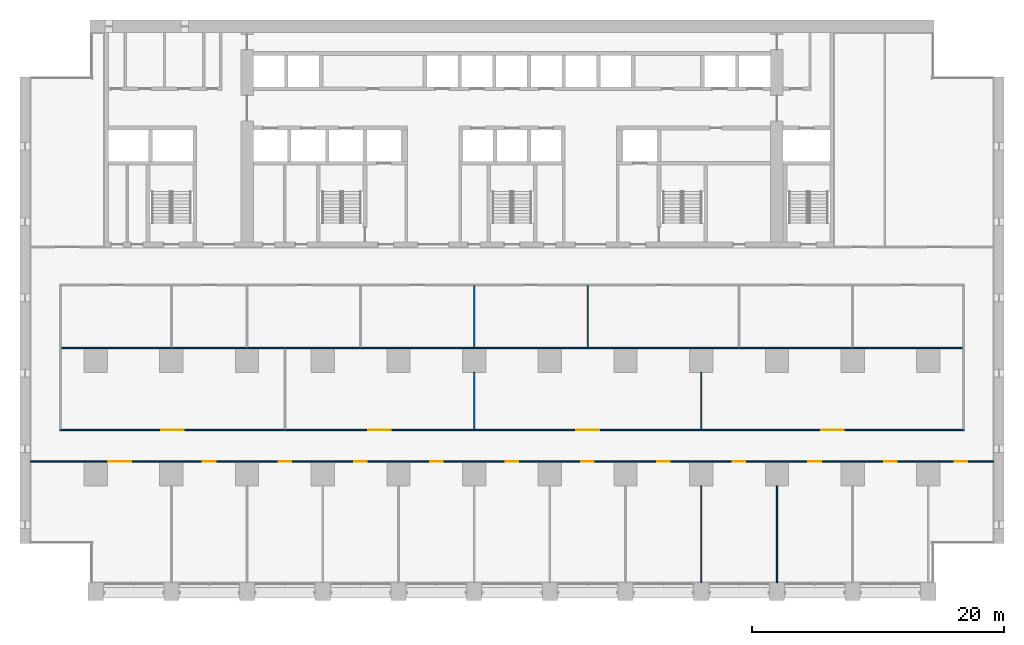
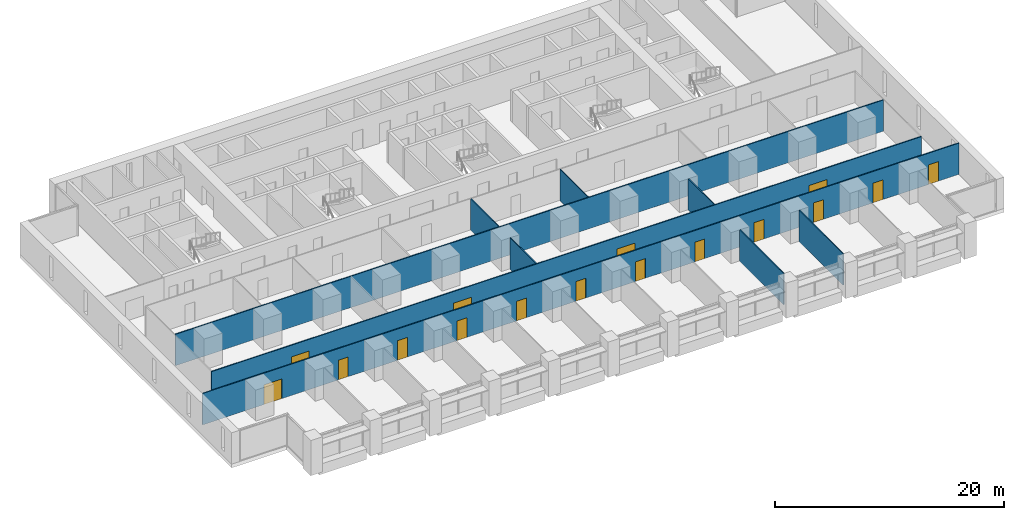
# One storey, part 9 of 18: 16 doors, 9 walls, 16 openings.
"""IFC4 building model written with IfcOpenShell, lengths in metres."""

from ifc_helpers import new_model, si_unit, direction, frame, frame_2d, origin, place, context, subcontext, project, spatial, rectangle, extrude, material, layer, layer_set, type_object, element, fill, save


model = new_model("IFC4")

# Units and contexts
model_context = context("Model", 3, precision=1e-05, world=origin(), true_north=direction((0.0, 1.0)))
body_context = subcontext(model_context, "Body", "Model", "MODEL_VIEW")
ifc_project = project(units=[si_unit("LENGTHUNIT", "METRE"), si_unit("AREAUNIT", "SQUARE_METRE"), si_unit("VOLUMEUNIT", "CUBIC_METRE"), si_unit("PLANEANGLEUNIT", "RADIAN"), si_unit("MASSUNIT", "GRAM", prefix="KILO")], contexts=[model_context])

# Site, building, storey
site_placement = place(None, origin())
site = spatial("IfcSite", under=ifc_project, at=site_placement, CompositionType="ELEMENT")
building_placement = place(site_placement, origin())
building = spatial("IfcBuilding", under=site, at=building_placement, Name="Calvaro Tower", CompositionType="ELEMENT")
storey_placement = place(building_placement, frame((0.0, 0.0, 26.25)))
storey = spatial("IfcBuildingStorey", under=building, at=storey_placement, Name="L05", CompositionType="ELEMENT", Elevation=26.25)

# Wall, openings, doors
ifc_material_1 = material(Name="Plasterboard on steel studs", Category="steel")
ifc_layer = layer(ifc_material_1, 0.10009765625)
ifc_layer_set = layer_set([ifc_layer], Name="Plasterboard on steel studs")
wall_type = type_object("IfcWallType", Name="Partition 100", PredefinedType="PARTITIONING", material=ifc_layer_set)
wall_1_placement = place(storey_placement, frame((0.800048828125, 11.0, 0.0), z_axis=(0.0, 0.0, 1.0), x_axis=(1.0, 0.0, 0.0)))
wall_1 = element("IfcWall", 1, at=wall_1_placement, inside=storey, type_object=wall_type, Name="Partition T07.W001", PredefinedType="PARTITIONING", context=body_context, shape_type="SweptSolid", body=[
    extrude(rectangle(XDim=76.39990234375, YDim=0.10009765625, at=frame_2d((38.199951171875, 0.0))), origin(), (0.0, 0.0, 1.0), 3.35009765625),
])
opening_1_placement = place(wall_1_placement, frame((13.699951171875, 0.0, 0.0)))
opening_1 = element("IfcOpeningElement", 2, at=opening_1_placement, cuts=wall_1, Name="Opening T07.001", PredefinedType="OPENING", context=body_context, shape_type="SweptSolid", body=[
    extrude(rectangle(XDim=1.0, YDim=2.10009765625, at=frame_2d((0.5, 1.050048828125))), frame((0.0, 0.06005859375, 0.0), z_axis=(0.0, -1.0, 0.0), x_axis=(1.0, 0.0, 0.0)), (0.0, 0.0, 1.0), 0.1201171875),
])
opening_2_placement = place(wall_1_placement, frame((19.699951171875, 0.0, 0.0)))
opening_2 = element("IfcOpeningElement", 3, at=opening_2_placement, cuts=wall_1, Name="Opening T07.002", PredefinedType="OPENING", context=body_context, shape_type="SweptSolid", body=[
    extrude(rectangle(XDim=1.0, YDim=2.10009765625, at=frame_2d((0.5, 1.050048828125))), frame((0.0, 0.06005859375, 0.0), z_axis=(0.0, -1.0, 0.0), x_axis=(1.0, 0.0, 0.0)), (0.0, 0.0, 1.0), 0.1201171875),
])
opening_3_placement = place(wall_1_placement, frame((25.699951171875, 0.0, 0.0)))
opening_3 = element("IfcOpeningElement", 4, at=opening_3_placement, cuts=wall_1, Name="Opening T07.003", PredefinedType="OPENING", context=body_context, shape_type="SweptSolid", body=[
    extrude(rectangle(XDim=1.0, YDim=2.10009765625, at=frame_2d((0.5, 1.050048828125))), frame((0.0, 0.06005859375, 0.0), z_axis=(0.0, -1.0, 0.0), x_axis=(1.0, 0.0, 0.0)), (0.0, 0.0, 1.0), 0.1201171875),
])
opening_4_placement = place(wall_1_placement, frame((31.699951171875, 0.0, 0.0)))
opening_4 = element("IfcOpeningElement", 5, at=opening_4_placement, cuts=wall_1, Name="Opening T07.004", PredefinedType="OPENING", context=body_context, shape_type="SweptSolid", body=[
    extrude(rectangle(XDim=1.0, YDim=2.10009765625, at=frame_2d((0.5, 1.050048828125))), frame((0.0, 0.06005859375, 0.0), z_axis=(0.0, -1.0, 0.0), x_axis=(1.0, 0.0, 0.0)), (0.0, 0.0, 1.0), 0.1201171875),
])
opening_5_placement = place(wall_1_placement, frame((37.699951171875, 0.0, 0.0)))
opening_5 = element("IfcOpeningElement", 6, at=opening_5_placement, cuts=wall_1, Name="Opening T07.005", PredefinedType="OPENING", context=body_context, shape_type="SweptSolid", body=[
    extrude(rectangle(XDim=1.0, YDim=2.10009765625, at=frame_2d((0.5, 1.050048828125))), frame((0.0, 0.06005859375, 0.0), z_axis=(0.0, -1.0, 0.0), x_axis=(1.0, 0.0, 0.0)), (0.0, 0.0, 1.0), 0.1201171875),
])
opening_6_placement = place(wall_1_placement, frame((43.699951171875, 0.0, 0.0)))
opening_6 = element("IfcOpeningElement", 7, at=opening_6_placement, cuts=wall_1, Name="Opening T07.006", PredefinedType="OPENING", context=body_context, shape_type="SweptSolid", body=[
    extrude(rectangle(XDim=1.0, YDim=2.10009765625, at=frame_2d((0.5, 1.050048828125))), frame((0.0, 0.06005859375, 0.0), z_axis=(0.0, -1.0, 0.0), x_axis=(1.0, 0.0, 0.0)), (0.0, 0.0, 1.0), 0.1201171875),
])
opening_7_placement = place(wall_1_placement, frame((49.699951171875, 0.0, 0.0)))
opening_7 = element("IfcOpeningElement", 8, at=opening_7_placement, cuts=wall_1, Name="Opening T07.007", PredefinedType="OPENING", context=body_context, shape_type="SweptSolid", body=[
    extrude(rectangle(XDim=1.0, YDim=2.10009765625, at=frame_2d((0.5, 1.050048828125))), frame((0.0, 0.06005859375, 0.0), z_axis=(0.0, -1.0, 0.0), x_axis=(1.0, 0.0, 0.0)), (0.0, 0.0, 1.0), 0.1201171875),
])
opening_8_placement = place(wall_1_placement, frame((55.699951171875, 0.0, 0.0)))
opening_8 = element("IfcOpeningElement", 9, at=opening_8_placement, cuts=wall_1, Name="Opening T07.008", PredefinedType="OPENING", context=body_context, shape_type="SweptSolid", body=[
    extrude(rectangle(XDim=1.0, YDim=2.10009765625, at=frame_2d((0.5, 1.050048828125))), frame((0.0, 0.06005859375, 0.0), z_axis=(0.0, -1.0, 0.0), x_axis=(1.0, 0.0, 0.0)), (0.0, 0.0, 1.0), 0.1201171875),
])
opening_9_placement = place(wall_1_placement, frame((61.699951171875, 0.0, 0.0)))
opening_9 = element("IfcOpeningElement", 10, at=opening_9_placement, cuts=wall_1, Name="Opening T07.009", PredefinedType="OPENING", context=body_context, shape_type="SweptSolid", body=[
    extrude(rectangle(XDim=1.0, YDim=2.10009765625, at=frame_2d((0.5, 1.050048828125))), frame((0.0, 0.06005859375, 0.0), z_axis=(0.0, -1.0, 0.0), x_axis=(1.0, 0.0, 0.0)), (0.0, 0.0, 1.0), 0.1201171875),
])
opening_10_placement = place(wall_1_placement, frame((67.699951171875, 0.0, 0.0)))
opening_10 = element("IfcOpeningElement", 11, at=opening_10_placement, cuts=wall_1, Name="Opening T07.010", PredefinedType="OPENING", context=body_context, shape_type="SweptSolid", body=[
    extrude(rectangle(XDim=1.0, YDim=2.10009765625, at=frame_2d((0.5, 1.050048828125))), frame((0.0, 0.06005859375, 0.0), z_axis=(0.0, -1.0, 0.0), x_axis=(1.0, 0.0, 0.0)), (0.0, 0.0, 1.0), 0.1201171875),
])
opening_11_placement = place(wall_1_placement, frame((6.199951171875, 0.0, 0.0)))
opening_11 = element("IfcOpeningElement", 12, at=opening_11_placement, cuts=wall_1, Name="Opening T07.011", PredefinedType="OPENING", context=body_context, shape_type="SweptSolid", body=[
    extrude(rectangle(XDim=1.800048828125, YDim=2.10009765625, at=frame_2d((0.89990234375, 1.050048828125))), frame((0.0, 0.06005859375, 0.0), z_axis=(0.0, -1.0, 0.0), x_axis=(1.0, 0.0, 0.0)), (0.0, 0.0, 1.0), 0.1201171875),
])
opening_12_placement = place(wall_1_placement, frame((73.300048828125, 0.0, 0.0)))
opening_12 = element("IfcOpeningElement", 13, at=opening_12_placement, cuts=wall_1, Name="Opening T07.012", PredefinedType="OPENING", context=body_context, shape_type="SweptSolid", body=[
    extrude(rectangle(XDim=1.0, YDim=2.10009765625, at=frame_2d((0.5, 1.050048828125))), frame((0.0, 0.06005859375, 0.0), z_axis=(0.0, -1.0, 0.0), x_axis=(1.0, 0.0, 0.0)), (0.0, 0.0, 1.0), 0.1201171875),
])
ifc_material_2 = material(Name="Timber", Category="wood")
door_type_1 = type_object("IfcDoorType", Name="Internal double door 1800 x 2100", OperationType="DOUBLE_DOOR_SINGLE_SWING", PredefinedType="DOOR", material=ifc_material_2)
door_1_placement = place(opening_11_placement, origin())
door_1 = element("IfcDoor", 14, at=door_1_placement, inside=storey, type_object=door_type_1, Name="Door T07.011", OperationType="DOUBLE_DOOR_SINGLE_SWING", OverallHeight=2.10009765625, OverallWidth=1.800048828125, PredefinedType="DOOR", context=body_context, shape_type="SweptSolid", body=[
    extrude(rectangle(XDim=1.800048828125, YDim=2.10009765625, at=frame_2d((0.89990234375, 1.050048828125))), frame((0.0, 0.02490234375, 0.0), z_axis=(0.0, -1.0, 0.0), x_axis=(1.0, 0.0, 0.0)), (0.0, 0.0, 1.0), 0.050048828125),
])
fill(opening_11, door_1)
ifc_material_3 = material(Name="Timber", Category="wood")
door_type_2 = type_object("IfcDoorType", Name="Internal single door 1000 x 2100", OperationType="SINGLE_SWING_LEFT", PredefinedType="DOOR", material=ifc_material_3)
door_2_placement = place(opening_1_placement, origin())
door_2 = element("IfcDoor", 15, at=door_2_placement, inside=storey, type_object=door_type_2, Name="Door T07.001", OperationType="SINGLE_SWING_LEFT", OverallHeight=2.10009765625, OverallWidth=1.0, PredefinedType="DOOR", context=body_context, shape_type="SweptSolid", body=[
    extrude(rectangle(XDim=1.0, YDim=2.10009765625, at=frame_2d((0.5, 1.050048828125))), frame((0.0, 0.02490234375, 0.0), z_axis=(0.0, -1.0, 0.0), x_axis=(1.0, 0.0, 0.0)), (0.0, 0.0, 1.0), 0.050048828125),
])
fill(opening_1, door_2)
door_3_placement = place(opening_2_placement, origin())
door_3 = element("IfcDoor", 16, at=door_3_placement, inside=storey, type_object=door_type_2, Name="Door T07.002", OperationType="SINGLE_SWING_LEFT", OverallHeight=2.10009765625, OverallWidth=1.0, PredefinedType="DOOR", context=body_context, shape_type="SweptSolid", body=[
    extrude(rectangle(XDim=1.0, YDim=2.10009765625, at=frame_2d((0.5, 1.050048828125))), frame((0.0, 0.02490234375, 0.0), z_axis=(0.0, -1.0, 0.0), x_axis=(1.0, 0.0, 0.0)), (0.0, 0.0, 1.0), 0.050048828125),
])
fill(opening_2, door_3)
door_4_placement = place(opening_3_placement, origin())
door_4 = element("IfcDoor", 17, at=door_4_placement, inside=storey, type_object=door_type_2, Name="Door T07.003", OperationType="SINGLE_SWING_LEFT", OverallHeight=2.10009765625, OverallWidth=1.0, PredefinedType="DOOR", context=body_context, shape_type="SweptSolid", body=[
    extrude(rectangle(XDim=1.0, YDim=2.10009765625, at=frame_2d((0.5, 1.050048828125))), frame((0.0, 0.02490234375, 0.0), z_axis=(0.0, -1.0, 0.0), x_axis=(1.0, 0.0, 0.0)), (0.0, 0.0, 1.0), 0.050048828125),
])
fill(opening_3, door_4)
door_5_placement = place(opening_4_placement, origin())
door_5 = element("IfcDoor", 18, at=door_5_placement, inside=storey, type_object=door_type_2, Name="Door T07.004", OperationType="SINGLE_SWING_LEFT", OverallHeight=2.10009765625, OverallWidth=1.0, PredefinedType="DOOR", context=body_context, shape_type="SweptSolid", body=[
    extrude(rectangle(XDim=1.0, YDim=2.10009765625, at=frame_2d((0.5, 1.050048828125))), frame((0.0, 0.02490234375, 0.0), z_axis=(0.0, -1.0, 0.0), x_axis=(1.0, 0.0, 0.0)), (0.0, 0.0, 1.0), 0.050048828125),
])
fill(opening_4, door_5)
door_6_placement = place(opening_5_placement, origin())
door_6 = element("IfcDoor", 19, at=door_6_placement, inside=storey, type_object=door_type_2, Name="Door T07.005", OperationType="SINGLE_SWING_LEFT", OverallHeight=2.10009765625, OverallWidth=1.0, PredefinedType="DOOR", context=body_context, shape_type="SweptSolid", body=[
    extrude(rectangle(XDim=1.0, YDim=2.10009765625, at=frame_2d((0.5, 1.050048828125))), frame((0.0, 0.02490234375, 0.0), z_axis=(0.0, -1.0, 0.0), x_axis=(1.0, 0.0, 0.0)), (0.0, 0.0, 1.0), 0.050048828125),
])
fill(opening_5, door_6)
door_7_placement = place(opening_6_placement, origin())
door_7 = element("IfcDoor", 20, at=door_7_placement, inside=storey, type_object=door_type_2, Name="Door T07.006", OperationType="SINGLE_SWING_RIGHT", OverallHeight=2.10009765625, OverallWidth=1.0, PredefinedType="DOOR", context=body_context, shape_type="SweptSolid", body=[
    extrude(rectangle(XDim=1.0, YDim=2.10009765625, at=frame_2d((0.5, 1.050048828125))), frame((0.0, 0.02490234375, 0.0), z_axis=(0.0, -1.0, 0.0), x_axis=(1.0, 0.0, 0.0)), (0.0, 0.0, 1.0), 0.050048828125),
])
fill(opening_6, door_7)
door_8_placement = place(opening_7_placement, origin())
door_8 = element("IfcDoor", 21, at=door_8_placement, inside=storey, type_object=door_type_2, Name="Door T07.007", OperationType="SINGLE_SWING_RIGHT", OverallHeight=2.10009765625, OverallWidth=1.0, PredefinedType="DOOR", context=body_context, shape_type="SweptSolid", body=[
    extrude(rectangle(XDim=1.0, YDim=2.10009765625, at=frame_2d((0.5, 1.050048828125))), frame((0.0, 0.02490234375, 0.0), z_axis=(0.0, -1.0, 0.0), x_axis=(1.0, 0.0, 0.0)), (0.0, 0.0, 1.0), 0.050048828125),
])
fill(opening_7, door_8)
door_9_placement = place(opening_8_placement, origin())
door_9 = element("IfcDoor", 22, at=door_9_placement, inside=storey, type_object=door_type_2, Name="Door T07.008", OperationType="SINGLE_SWING_RIGHT", OverallHeight=2.10009765625, OverallWidth=1.0, PredefinedType="DOOR", context=body_context, shape_type="SweptSolid", body=[
    extrude(rectangle(XDim=1.0, YDim=2.10009765625, at=frame_2d((0.5, 1.050048828125))), frame((0.0, 0.02490234375, 0.0), z_axis=(0.0, -1.0, 0.0), x_axis=(1.0, 0.0, 0.0)), (0.0, 0.0, 1.0), 0.050048828125),
])
fill(opening_8, door_9)
door_10_placement = place(opening_9_placement, origin())
door_10 = element("IfcDoor", 23, at=door_10_placement, inside=storey, type_object=door_type_2, Name="Door T07.009", OperationType="SINGLE_SWING_RIGHT", OverallHeight=2.10009765625, OverallWidth=1.0, PredefinedType="DOOR", context=body_context, shape_type="SweptSolid", body=[
    extrude(rectangle(XDim=1.0, YDim=2.10009765625, at=frame_2d((0.5, 1.050048828125))), frame((0.0, 0.02490234375, 0.0), z_axis=(0.0, -1.0, 0.0), x_axis=(1.0, 0.0, 0.0)), (0.0, 0.0, 1.0), 0.050048828125),
])
fill(opening_9, door_10)
door_11_placement = place(opening_10_placement, origin())
door_11 = element("IfcDoor", 24, at=door_11_placement, inside=storey, type_object=door_type_2, Name="Door T07.010", OperationType="SINGLE_SWING_RIGHT", OverallHeight=2.10009765625, OverallWidth=1.0, PredefinedType="DOOR", context=body_context, shape_type="SweptSolid", body=[
    extrude(rectangle(XDim=1.0, YDim=2.10009765625, at=frame_2d((0.5, 1.050048828125))), frame((0.0, 0.02490234375, 0.0), z_axis=(0.0, -1.0, 0.0), x_axis=(1.0, 0.0, 0.0)), (0.0, 0.0, 1.0), 0.050048828125),
])
fill(opening_10, door_11)
door_12_placement = place(opening_12_placement, origin())
door_12 = element("IfcDoor", 25, at=door_12_placement, inside=storey, type_object=door_type_2, Name="Door T07.012", OperationType="SINGLE_SWING_RIGHT", OverallHeight=2.10009765625, OverallWidth=1.0, PredefinedType="DOOR", context=body_context, shape_type="SweptSolid", body=[
    extrude(rectangle(XDim=1.0, YDim=2.10009765625, at=frame_2d((0.5, 1.050048828125))), frame((0.0, 0.02490234375, 0.0), z_axis=(0.0, -1.0, 0.0), x_axis=(1.0, 0.0, 0.0)), (0.0, 0.0, 1.0), 0.050048828125),
])
fill(opening_12, door_12)

wall_2_placement = place(storey_placement, frame((3.14990234375, 13.5, 0.0), z_axis=(0.0, 0.0, 1.0), x_axis=(1.0, 0.0, 0.0)))
wall_2 = element("IfcWall", 26, at=wall_2_placement, inside=storey, type_object=wall_type, Name="Partition T07.W002", PredefinedType="PARTITIONING", context=body_context, shape_type="SweptSolid", body=[
    extrude(rectangle(XDim=71.7001953125, YDim=0.10009765625, at=frame_2d((35.85009765625, 0.0))), origin(), (0.0, 0.0, 1.0), 3.35009765625),
])
opening_13_placement = place(wall_2_placement, frame((8.050048828125, 0.0, 0.0)))
opening_13 = element("IfcOpeningElement", 27, at=opening_13_placement, cuts=wall_2, Name="Opening T07.013", PredefinedType="OPENING", context=body_context, shape_type="SweptSolid", body=[
    extrude(rectangle(XDim=1.800048828125, YDim=2.10009765625, at=frame_2d((0.89990234375, 1.050048828125))), frame((0.0, 0.06005859375, 0.0), z_axis=(0.0, -1.0, 0.0), x_axis=(1.0, 0.0, 0.0)), (0.0, 0.0, 1.0), 0.1201171875),
])
opening_14_placement = place(wall_2_placement, frame((24.449951171875, 0.0, 0.0)))
opening_14 = element("IfcOpeningElement", 28, at=opening_14_placement, cuts=wall_2, Name="Opening T07.014", PredefinedType="OPENING", context=body_context, shape_type="SweptSolid", body=[
    extrude(rectangle(XDim=1.800048828125, YDim=2.10009765625, at=frame_2d((0.89990234375, 1.050048828125))), frame((0.0, 0.06005859375, 0.0), z_axis=(0.0, -1.0, 0.0), x_axis=(1.0, 0.0, 0.0)), (0.0, 0.0, 1.0), 0.1201171875),
])
opening_15_placement = place(wall_2_placement, frame((40.949951171875, 0.0, 0.0)))
opening_15 = element("IfcOpeningElement", 29, at=opening_15_placement, cuts=wall_2, Name="Opening T07.015", PredefinedType="OPENING", context=body_context, shape_type="SweptSolid", body=[
    extrude(rectangle(XDim=1.800048828125, YDim=2.10009765625, at=frame_2d((0.89990234375, 1.050048828125))), frame((0.0, 0.06005859375, 0.0), z_axis=(0.0, -1.0, 0.0), x_axis=(1.0, 0.0, 0.0)), (0.0, 0.0, 1.0), 0.1201171875),
])
opening_16_placement = place(wall_2_placement, frame((60.35009765625, 0.0, 0.0)))
opening_16 = element("IfcOpeningElement", 30, at=opening_16_placement, cuts=wall_2, Name="Opening T07.016", PredefinedType="OPENING", context=body_context, shape_type="SweptSolid", body=[
    extrude(rectangle(XDim=1.800048828125, YDim=2.10009765625, at=frame_2d((0.89990234375, 1.050048828125))), frame((0.0, 0.06005859375, 0.0), z_axis=(0.0, -1.0, 0.0), x_axis=(1.0, 0.0, 0.0)), (0.0, 0.0, 1.0), 0.1201171875),
])
door_13_placement = place(opening_13_placement, origin())
door_13 = element("IfcDoor", 31, at=door_13_placement, inside=storey, type_object=door_type_1, Name="Door T07.013", OperationType="DOUBLE_DOOR_SINGLE_SWING", OverallHeight=2.10009765625, OverallWidth=1.800048828125, PredefinedType="DOOR", context=body_context, shape_type="SweptSolid", body=[
    extrude(rectangle(XDim=1.800048828125, YDim=2.10009765625, at=frame_2d((0.89990234375, 1.050048828125))), frame((0.0, 0.02490234375, 0.0), z_axis=(0.0, -1.0, 0.0), x_axis=(1.0, 0.0, 0.0)), (0.0, 0.0, 1.0), 0.050048828125),
])
fill(opening_13, door_13)
door_14_placement = place(opening_14_placement, origin())
door_14 = element("IfcDoor", 32, at=door_14_placement, inside=storey, type_object=door_type_1, Name="Door T07.014", OperationType="DOUBLE_DOOR_SINGLE_SWING", OverallHeight=2.10009765625, OverallWidth=1.800048828125, PredefinedType="DOOR", context=body_context, shape_type="SweptSolid", body=[
    extrude(rectangle(XDim=1.800048828125, YDim=2.10009765625, at=frame_2d((0.89990234375, 1.050048828125))), frame((0.0, 0.02490234375, 0.0), z_axis=(0.0, -1.0, 0.0), x_axis=(1.0, 0.0, 0.0)), (0.0, 0.0, 1.0), 0.050048828125),
])
fill(opening_14, door_14)
door_15_placement = place(opening_15_placement, origin())
door_15 = element("IfcDoor", 33, at=door_15_placement, inside=storey, type_object=door_type_1, Name="Door T07.015", OperationType="DOUBLE_DOOR_SINGLE_SWING", OverallHeight=2.10009765625, OverallWidth=1.800048828125, PredefinedType="DOOR", context=body_context, shape_type="SweptSolid", body=[
    extrude(rectangle(XDim=1.800048828125, YDim=2.10009765625, at=frame_2d((0.89990234375, 1.050048828125))), frame((0.0, 0.02490234375, 0.0), z_axis=(0.0, -1.0, 0.0), x_axis=(1.0, 0.0, 0.0)), (0.0, 0.0, 1.0), 0.050048828125),
])
fill(opening_15, door_15)
door_16_placement = place(opening_16_placement, origin())
door_16 = element("IfcDoor", 34, at=door_16_placement, inside=storey, type_object=door_type_1, Name="Door T07.016", OperationType="DOUBLE_DOOR_SINGLE_SWING", OverallHeight=2.10009765625, OverallWidth=1.800048828125, PredefinedType="DOOR", context=body_context, shape_type="SweptSolid", body=[
    extrude(rectangle(XDim=1.800048828125, YDim=2.10009765625, at=frame_2d((0.89990234375, 1.050048828125))), frame((0.0, 0.02490234375, 0.0), z_axis=(0.0, -1.0, 0.0), x_axis=(1.0, 0.0, 0.0)), (0.0, 0.0, 1.0), 0.050048828125),
])
fill(opening_16, door_16)

# Walls
wall_3_placement = place(storey_placement, frame((3.25, 20.0, 0.0), z_axis=(0.0, 0.0, 1.0), x_axis=(1.0, 0.0, 0.0)))
element("IfcWall", 35, at=wall_3_placement, inside=storey, type_object=wall_type, Name="Partition T07.W003", PredefinedType="PARTITIONING", context=body_context, shape_type="SweptSolid", body=[
    extrude(rectangle(XDim=71.5, YDim=0.10009765625, at=frame_2d((35.75, 0.0))), origin(), (0.0, 0.0, 1.0), 3.35009765625),
])
wall_4_placement = place(storey_placement, frame((36.0, 13.550048828125, 0.0), z_axis=(0.0, 0.0, 1.0), x_axis=(0.0, 1.0, 0.0)))
element("IfcWall", 36, at=wall_4_placement, inside=storey, type_object=wall_type, Name="Partition T07.W017", PredefinedType="PARTITIONING", context=body_context, shape_type="SweptSolid", body=[
    extrude(rectangle(XDim=4.52490234375, YDim=0.10009765625, at=frame_2d((2.262451171875, 0.0))), origin(), (0.0, 0.0, 1.0), 3.35009765625),
])
for number, where, z_axis, x_axis, name in (
    (37, (36.0, 20.050048828125, 0.0), (0.0, 0.0, 1.0), (0.0, 1.0, 0.0), "Partition T07.W018"),
    (38, (45.0, 20.050048828125, 0.0), (0.0, 0.0, 1.0), (0.0, 1.0, 0.0), "Partition T07.W020"),
):
    element("IfcWall", number, at=place(storey_placement, frame(where, z_axis=z_axis, x_axis=x_axis)), inside=storey, type_object=wall_type, Name=name, PredefinedType="PARTITIONING", context=body_context, shape_type="SweptSolid", body=[
        extrude(rectangle(XDim=4.89990234375, YDim=0.10009765625, at=frame_2d((2.449951171875, 0.0))), origin(), (0.0, 0.0, 1.0), 3.35009765625),
    ])
wall_5_placement = place(storey_placement, frame((54.0, 1.39990234375, 0.0), z_axis=(0.0, 0.0, 1.0), x_axis=(0.0, 1.0, 0.0)))
element("IfcWall", 39, at=wall_5_placement, inside=storey, type_object=wall_type, Name="Partition T07.W022", PredefinedType="PARTITIONING", context=body_context, shape_type="SweptSolid", body=[
    extrude(rectangle(XDim=7.675048828125, YDim=0.10009765625, at=frame_2d((3.83740234375, 0.0))), origin(), (0.0, 0.0, 1.0), 3.35009765625),
])
wall_6_placement = place(storey_placement, frame((54.0, 13.550048828125, 0.0), z_axis=(0.0, 0.0, 1.0), x_axis=(0.0, 1.0, 0.0)))
element("IfcWall", 40, at=wall_6_placement, inside=storey, type_object=wall_type, Name="Partition T07.W023", PredefinedType="PARTITIONING", context=body_context, shape_type="SweptSolid", body=[
    extrude(rectangle(XDim=4.52490234375, YDim=0.10009765625, at=frame_2d((2.262451171875, 0.0))), origin(), (0.0, 0.0, 1.0), 3.35009765625),
])
wall_7_placement = place(storey_placement, frame((60.0, 1.39990234375, 0.0), z_axis=(0.0, 0.0, 1.0), x_axis=(0.0, 1.0, 0.0)))
element("IfcWall", 41, at=wall_7_placement, inside=storey, type_object=wall_type, Name="Partition T07.W025", PredefinedType="PARTITIONING", context=body_context, shape_type="SweptSolid", body=[
    extrude(rectangle(XDim=7.675048828125, YDim=0.10009765625, at=frame_2d((3.83740234375, 0.0))), origin(), (0.0, 0.0, 1.0), 3.35009765625),
])

save(model, "model.ifc")
